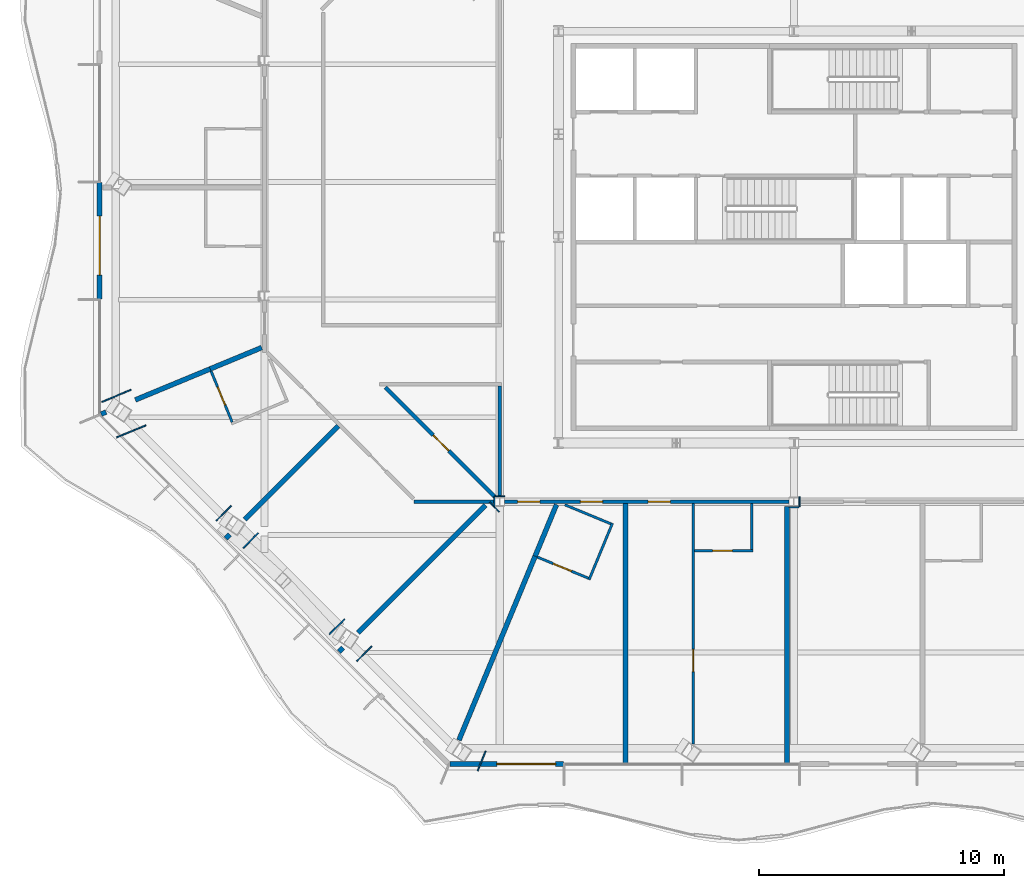
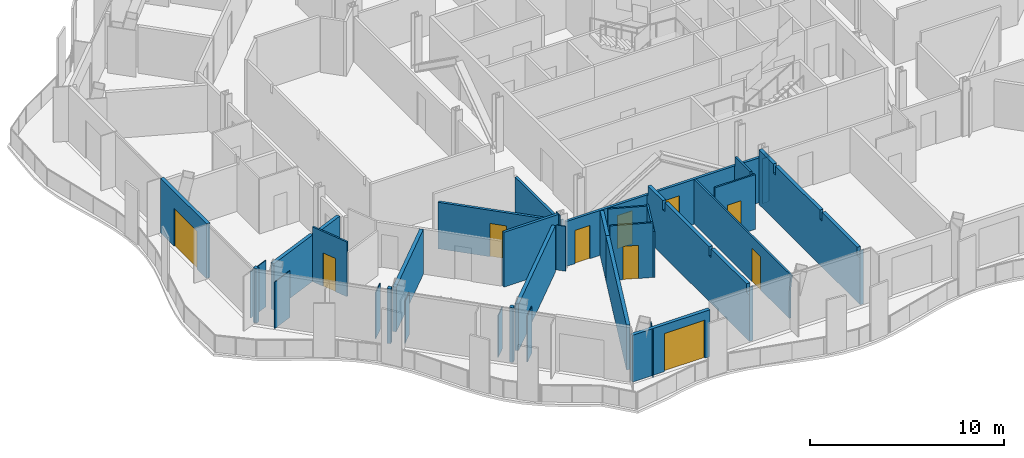
# One storey, part 7 of 22: 36 walls, 10 doors, 10 openings.
"""IFC4 building model written with IfcOpenShell, lengths in metres."""

import ifcopenshell
import ifcopenshell.guid

model = None  # the IFC model being written
_history = None  # IfcOwnerHistory: only IFC2X3 demands one
_inside = {}  # id of a spatial element -> (the spatial element, [elements in it])
_under = {}  # id of a project, library or spatial element -> (it, [spatial elements below it])
_declared = {}  # id of a project -> (the project, [libraries it declares])
_typed = {}  # id of a type object -> (the type object, [elements of that type])
_made_of = {}  # id of a material, layer set ... -> (it, [elements and type objects made of it])


def new_model(schema):
    """Start an empty IFC model of exactly this schema.

    Asked for "IFC4X3", IfcOpenShell would pick the latest addendum, in which some entities
    have other attributes; the version numbers below select the first issue.
    IFC2X3 requires an IfcOwnerHistory on every rooted entity: one is made here for all.
    """
    global model, _history
    if schema == "IFC4X3":
        model = ifcopenshell.file(schema_version=(4, 3, 0, 0))
    else:
        model = ifcopenshell.file(schema=schema)
    _inside.clear()
    _under.clear()
    _declared.clear()
    _typed.clear()
    _made_of.clear()
    _history = None
    if model.schema == "IFC2X3":
        org = make("IfcOrganization", Name="unknown")
        user = make(
            "IfcPersonAndOrganization",
            ThePerson=make("IfcPerson", FamilyName="unknown"),
            TheOrganization=org,
        )
        app = make(
            "IfcApplication",
            ApplicationDeveloper=org,
            Version="unknown",
            ApplicationFullName="unknown",
            ApplicationIdentifier="unknown",
        )
        _history = make(
            "IfcOwnerHistory",
            OwningUser=user,
            OwningApplication=app,
            ChangeAction="ADDED",
            CreationDate=0,
        )
    return model


def make(cls, **values):
    """One entity of the class cls with the attributes given. An attribute that is None is left unset."""
    return model.create_entity(
        cls, **{name: value for name, value in values.items() if value is not None}
    )


def rooted(cls, **values):
    """An entity with a GlobalId (a new one), such as an element, a storey or a relation."""
    return make(cls, GlobalId=ifcopenshell.guid.new(), OwnerHistory=_history, **values)


def si_unit(unit_type, name, prefix=None):
    """IfcSIUnit, for example si_unit("LENGTHUNIT", "METRE", prefix="MILLI")."""
    return make("IfcSIUnit", UnitType=unit_type, Prefix=prefix, Name=name)


def assignment(units):
    """IfcUnitAssignment: the units of a project."""
    return None if units is None else make("IfcUnitAssignment", Units=units)


def point(xyz):
    """IfcCartesianPoint."""
    return None if xyz is None else make("IfcCartesianPoint", Coordinates=xyz)


def direction(xyz):
    """IfcDirection."""
    return None if xyz is None else make("IfcDirection", DirectionRatios=xyz)


def frame(location, z_axis=None, x_axis=None):
    """IfcAxis2Placement3D, a coordinate frame: its origin and axes. An axis left out is left unset."""
    return make(
        "IfcAxis2Placement3D",
        Location=point(location),
        Axis=direction(z_axis),
        RefDirection=direction(x_axis),
    )


def frame_2d(location, x_axis=None):
    """IfcAxis2Placement2D, a coordinate frame in the plane: its origin and x axis."""
    return make(
        "IfcAxis2Placement2D", Location=point(location), RefDirection=direction(x_axis)
    )


def origin():
    """The frame at (0, 0, 0) with its axes left unset."""
    return frame((0.0, 0.0, 0.0))


def place(relative_to, where):
    """IfcLocalPlacement: puts the frame where relative to a parent placement (None: the world)."""
    return make(
        "IfcLocalPlacement", PlacementRelTo=relative_to, RelativePlacement=where
    )


def context(
    kind, dimensions, precision=None, world=None, true_north=None, identifier=None
):
    """IfcGeometricRepresentationContext, for example the 3D "Model" context."""
    return make(
        "IfcGeometricRepresentationContext",
        ContextIdentifier=identifier,
        ContextType=kind,
        CoordinateSpaceDimension=dimensions,
        Precision=precision,
        WorldCoordinateSystem=world,
        TrueNorth=true_north,
    )


def subcontext(parent, identifier, kind, view, scale=None):
    """IfcGeometricRepresentationSubContext, for example "Body" below "Model"."""
    return make(
        "IfcGeometricRepresentationSubContext",
        ContextIdentifier=identifier,
        ContextType=kind,
        ParentContext=parent,
        TargetScale=scale,
        TargetView=view,
    )


def project(units=None, contexts=None):
    """IfcProject with its units and contexts."""
    return rooted(
        "IfcProject",
        Name="project",
        RepresentationContexts=contexts,
        UnitsInContext=assignment(units),
    )


def spatial(cls, under=None, at=None, **own):
    """A site, building, storey or space (cls), placed at a placement, below another one or the project."""
    s = rooted(cls, ObjectPlacement=at, **own)
    if under is not None:
        _under.setdefault(under.id(), (under, []))[1].append(s)
    return s


def polyline(points):
    """IfcPolyline through the points."""
    return make("IfcPolyline", Points=[point(p) for p in points])


def profile(cls, at=None, kind="AREA", **sizes):
    """A parametric profile (cls). Its sizes go by their IFC names, for example OverallWidth=200.0."""
    return make(cls, ProfileType=kind, Position=at, **sizes)


def rectangle(**sizes):
    """IfcRectangleProfileDef."""
    return profile("IfcRectangleProfileDef", **sizes)


def outline(outer, holes=None, kind="AREA"):
    """IfcArbitraryClosedProfileDef: a profile drawn as a closed curve; with holes, ...WithVoids."""
    if holes is None:
        return make("IfcArbitraryClosedProfileDef", ProfileType=kind, OuterCurve=outer)
    return make(
        "IfcArbitraryProfileDefWithVoids",
        ProfileType=kind,
        OuterCurve=outer,
        InnerCurves=holes,
    )


def extrude(swept, where, along, depth):
    """IfcExtrudedAreaSolid: the profile swept, set in the frame where, extruded along a direction by depth."""
    return make(
        "IfcExtrudedAreaSolid",
        SweptArea=swept,
        Position=where,
        ExtrudedDirection=direction(along),
        Depth=depth,
    )


def shape(context_of_items, identifier, shape_type, items):
    """IfcShapeRepresentation: the items that make up one representation, for example the "Body"."""
    return make(
        "IfcShapeRepresentation",
        ContextOfItems=context_of_items,
        RepresentationIdentifier=identifier,
        RepresentationType=shape_type,
        Items=items,
    )


def material(Name=None, Category=None):
    """IfcMaterial."""
    return make("IfcMaterial", Name=Name, Category=Category)


def layer(
    of_material, thickness, ventilated=None, Name=None, Category=None, Priority=None
):
    """IfcMaterialLayer: one layer of a wall or slab, of a material (None: an air gap)."""
    return make(
        "IfcMaterialLayer",
        Material=of_material,
        LayerThickness=thickness,
        IsVentilated=ventilated,
        Name=Name,
        Category=Category,
        Priority=Priority,
    )


def layer_set(layers, Name=None):
    """IfcMaterialLayerSet."""
    return make("IfcMaterialLayerSet", MaterialLayers=layers, LayerSetName=Name)


def made_of(thing, what):
    """Note that an element or type object is made of a material, layer set ...; save() writes the relation."""
    if what is not None:
        _made_of.setdefault(what.id(), (what, []))[1].append(thing)
    return thing


def type_object(cls, material=None, **own):
    """A type object (cls), such as IfcWallType, which elements share."""
    return made_of(rooted(cls, **own), material)


def element(
    cls,
    number,
    at=None,
    inside=None,
    cuts=None,
    type_object=None,
    material=None,
    context=None,
    identifier="Body",
    shape_type=None,
    held_by="IfcProductDefinitionShape",
    body=None,
    shapes=None,
    **own,
):
    """One element of the class cls, such as IfcWall. Its Tag is "e" and its number.

    at: its placement. inside: the storey or other place that contains it. cuts: it is an
    opening in that element (IfcRelVoidsElement). A single representation is given by context,
    identifier, shape_type and body (its items); several are given by shapes. held_by: the class
    of the entity that holds the representations. save() writes the other relations.
    """
    e = rooted(cls, Tag="e%d" % number, ObjectPlacement=at, **own)
    if body is not None:
        shapes = [shape(context, identifier, shape_type, body)]
    if shapes is not None:
        e.Representation = make(held_by, Representations=shapes)
    if inside is not None:
        _inside.setdefault(inside.id(), (inside, []))[1].append(e)
    if cuts is not None:
        rooted(
            "IfcRelVoidsElement", RelatingBuildingElement=cuts, RelatedOpeningElement=e
        )
    if type_object is not None:
        _typed.setdefault(type_object.id(), (type_object, []))[1].append(e)
    return made_of(e, material)


def fill(opening, filler):
    """IfcRelFillsElement: the door or window that sits in an opening."""
    return rooted(
        "IfcRelFillsElement",
        RelatingOpeningElement=opening,
        RelatedBuildingElement=filler,
    )


def aggregate(whole, parts):
    """IfcRelAggregates: a whole, such as a stair, and the parts it consists of."""
    return rooted("IfcRelAggregates", RelatingObject=whole, RelatedObjects=parts)


def save(model, path):
    """Write the relations noted so far, then the file.

    IfcRelAggregates (storeys below a building ...), IfcRelContainedInSpatialStructure (elements
    in a storey), IfcRelDefinesByType, IfcRelAssociatesMaterial and IfcRelDeclares: one each for
    every whole, place, type object, material and project.
    """
    for whole, parts in _under.values():
        aggregate(whole, parts)
    for where, things in _inside.values():
        rooted(
            "IfcRelContainedInSpatialStructure",
            RelatedElements=things,
            RelatingStructure=where,
        )
    for kind, things in _typed.values():
        rooted("IfcRelDefinesByType", RelatedObjects=things, RelatingType=kind)
    for what, things in _made_of.values():
        rooted("IfcRelAssociatesMaterial", RelatedObjects=things, RelatingMaterial=what)
    for by, libraries in _declared.values():
        rooted("IfcRelDeclares", RelatingContext=by, RelatedDefinitions=libraries)
    model.write(path)


model = new_model("IFC4")

# Units and contexts
model_context = context("Model", 3, precision=1e-05, world=origin(), true_north=direction((0.0, 1.0)))
body_context = subcontext(model_context, "Body", "Model", "MODEL_VIEW")
ifc_project = project(units=[si_unit("LENGTHUNIT", "METRE"), si_unit("AREAUNIT", "SQUARE_METRE"), si_unit("VOLUMEUNIT", "CUBIC_METRE"), si_unit("PLANEANGLEUNIT", "RADIAN"), si_unit("MASSUNIT", "GRAM", prefix="KILO")], contexts=[model_context])

# Site, building, storey
site_placement = place(None, origin())
site = spatial("IfcSite", under=ifc_project, at=site_placement, CompositionType="ELEMENT")
building_placement = place(site_placement, origin())
building = spatial("IfcBuilding", under=site, at=building_placement, Name="Cairn Pilgrim Tower", CompositionType="ELEMENT")
storey_placement = place(building_placement, frame((0.0, 0.0, 175.800048828125)))
storey = spatial("IfcBuildingStorey", under=building, at=storey_placement, Name="L44", CompositionType="ELEMENT", Elevation=175.800048828125)

# Wall, opening, door
ifc_material_1 = material(Name="Bronze anodised aluminium insulated sandwich panel with mineral wool fill", Category="aluminium")
ifc_layer_1 = layer(ifc_material_1, 0.199951171875)
ifc_layer_set_1 = layer_set([ifc_layer_1], Name="BRONZE INFILL FRAME WALL 200")
wall_type_1 = type_object("IfcWallType", Name="BRONZE INFILL FRAME WALL 200", PredefinedType="NOTDEFINED", material=ifc_layer_set_1)
wall_1_placement = place(storey_placement, frame((-6.83154296875, -19.10009765625, 0.0), z_axis=(0.0, 0.0, 1.0), x_axis=(1.0, 0.0, 0.0)))
wall_1 = element("IfcWall", 1, at=wall_1_placement, inside=storey, type_object=wall_type_1, Name="Bronze infill frame wall IW-S1", PredefinedType="NOTDEFINED", context=body_context, shape_type="SweptSolid", body=[
    extrude(rectangle(XDim=4.62646484375, YDim=0.199951171875, at=frame_2d((2.313232421875, 0.0))), origin(), (0.0, 0.0, 1.0), 2.949951171875),
])
opening_1_placement = place(wall_1_placement, frame((1.908447265625, 0.0, 0.0)))
opening_1 = element("IfcOpeningElement", 2, at=opening_1_placement, cuts=wall_1, Name="Opening 4421B", PredefinedType="OPENING", context=body_context, shape_type="SweptSolid", body=[
    extrude(rectangle(XDim=2.39990234375, YDim=2.39990234375, at=frame_2d((1.199951171875, 1.199951171875))), frame((0.0, 0.10986328125, 0.0), z_axis=(0.0, -1.0, 0.0), x_axis=(1.0, 0.0, 0.0)), (0.0, 0.0, 1.0), 0.219970703125),
])
ifc_material_2 = material(Name="Bronze anodised aluminium frame with tinted low-E glass", Category="aluminium")
door_type_1 = type_object("IfcDoorType", Name="BALCONY SLIDING DOOR 2400x2400", OperationType="DOUBLE_DOOR_SLIDING", PredefinedType="DOOR", material=ifc_material_2)
door_1_placement = place(opening_1_placement, origin())
door_1 = element("IfcDoor", 3, at=door_1_placement, inside=storey, type_object=door_type_1, Name="Balcony sliding door 4421B", OperationType="SINGLE_SWING_LEFT", OverallHeight=2.39990234375, OverallWidth=2.39990234375, PredefinedType="DOOR", context=body_context, shape_type="SweptSolid", body=[
    extrude(rectangle(XDim=2.39990234375, YDim=2.39990234375, at=frame_2d((1.199951171875, 1.199951171875))), frame((0.0, 0.02490234375, 0.0), z_axis=(0.0, -1.0, 0.0), x_axis=(1.0, 0.0, 0.0)), (0.0, 0.0, 1.0), 0.050048828125),
])
fill(opening_1, door_1)

wall_2_placement = place(storey_placement, frame((-21.125, 4.6201171875, 0.0), z_axis=(0.0, 0.0, 1.0), x_axis=(0.0, -1.0, 0.0)))
wall_2 = element("IfcWall", 4, at=wall_2_placement, inside=storey, type_object=wall_type_1, Name="Bronze infill frame wall IW-W3", PredefinedType="NOTDEFINED", context=body_context, shape_type="SweptSolid", body=[
    extrude(rectangle(XDim=4.740234375, YDim=0.199951171875, at=frame_2d((2.3701171875, 0.0))), origin(), (0.0, 0.0, 1.0), 3.449951171875),
])
opening_2_placement = place(wall_2_placement, frame((1.3701171875, 0.0, 0.0)))
opening_2 = element("IfcOpeningElement", 5, at=opening_2_placement, cuts=wall_2, Name="Opening 4417B", PredefinedType="OPENING", context=body_context, shape_type="SweptSolid", body=[
    extrude(rectangle(XDim=2.39990234375, YDim=2.39990234375, at=frame_2d((1.199951171875, 1.199951171875))), frame((0.0, 0.10986328125, 0.0), z_axis=(0.0, -1.0, 0.0), x_axis=(1.0, 0.0, 0.0)), (0.0, 0.0, 1.0), 0.219970703125),
])
door_2_placement = place(opening_2_placement, origin())
door_2 = element("IfcDoor", 6, at=door_2_placement, inside=storey, type_object=door_type_1, Name="Balcony sliding door 4417B", OperationType="SINGLE_SWING_LEFT", OverallHeight=2.39990234375, OverallWidth=2.39990234375, PredefinedType="DOOR", context=body_context, shape_type="SweptSolid", body=[
    extrude(rectangle(XDim=2.39990234375, YDim=2.39990234375, at=frame_2d((1.199951171875, 1.199951171875))), frame((0.0, 0.02490234375, 0.0), z_axis=(0.0, -1.0, 0.0), x_axis=(1.0, 0.0, 0.0)), (0.0, 0.0, 1.0), 0.050048828125),
])
fill(opening_2, door_2)

ifc_material_3 = material(Name="Gypsum partition")
ifc_layer_2 = layer(ifc_material_3, 0.10009765625)
ifc_layer_set_2 = layer_set([ifc_layer_2], Name="PARTITION 100 DRYWALL")
wall_type_2 = type_object("IfcWallType", Name="PARTITION 100 DRYWALL", PredefinedType="PARTITIONING", material=ifc_layer_set_2)
wall_3_placement = place(storey_placement, frame((3.0869140625, -18.776611328125, 0.0), z_axis=(0.0, 0.0, 1.0), x_axis=(0.0, 1.0, 0.0)))
wall_3 = element("IfcWall", 7, at=wall_3_placement, inside=storey, type_object=wall_type_2, Name="PARTITION W003", PredefinedType="PARTITIONING", context=body_context, shape_type="SweptSolid", body=[
    extrude(outline(polyline([(0.495361328125, 0.0), (10.301513671875, 0.0), (10.301513671875, 0.862548828125), (10.301513671875, 1.724853515625), (10.301513671875, 2.58740234375), (10.301513671875, 2.829833984375), (0.251953125, 2.829833984375), (0.350341796875, 2.58740234375), (0.495361328125, 1.724853515625), (0.495361328125, 0.862548828125), (0.495361328125, 0.0)])), frame((0.0, 0.050048828125, 0.0), z_axis=(0.0, -1.0, 0.0), x_axis=(1.0, 0.0, 0.0)), (0.0, 0.0, 1.0), 0.10009765625),
])
opening_3_placement = place(wall_3_placement, frame((3.45166015625, 0.0, 0.0)))
opening_3 = element("IfcOpeningElement", 8, at=opening_3_placement, cuts=wall_3, Name="Opening 4422C", PredefinedType="OPENING", context=body_context, shape_type="SweptSolid", body=[
    extrude(rectangle(XDim=0.89990234375, YDim=2.10009765625, at=frame_2d((0.449951171875, 1.050048828125))), frame((0.0, 0.06005859375, 0.0), z_axis=(0.0, -1.0, 0.0), x_axis=(1.0, 0.0, 0.0)), (0.0, 0.0, 1.0), 0.1201171875),
])
ifc_material_4 = material(Name="Timber door leaf", Category="wood")
door_type_2 = type_object("IfcDoorType", Name="SERVICE DOOR 900x2100", OperationType="NOTDEFINED", PredefinedType="DOOR", material=ifc_material_4)
door_3_placement = place(opening_3_placement, origin())
door_3 = element("IfcDoor", 9, at=door_3_placement, inside=storey, type_object=door_type_2, Name="DOOR 4422C", OperationType="SINGLE_SWING_RIGHT", OverallHeight=2.10009765625, OverallWidth=0.89990234375, PredefinedType="DOOR", context=body_context, shape_type="SweptSolid", body=[
    extrude(rectangle(XDim=0.89990234375, YDim=2.10009765625, at=frame_2d((0.449951171875, 1.050048828125))), frame((0.0, 0.02490234375, 0.0), z_axis=(0.0, -1.0, 0.0), x_axis=(1.0, 0.0, 0.0)), (0.0, 0.0, 1.0), 0.050048828125),
])
fill(opening_3, door_3)

# Wall
wall_4_placement = place(storey_placement, frame((-1.1591796875, -11.582275390625, 0.0), z_axis=(0.0, 0.0, 1.0), x_axis=(0.382423652519, 0.923987094062, 0.0)))
element("IfcWall", 10, at=wall_4_placement, inside=storey, type_object=wall_type_2, Name="PARTITION W009", PredefinedType="PARTITIONING", context=body_context, shape_type="SweptSolid", body=[
    extrude(rectangle(XDim=2.500732421875, YDim=0.10009765625, at=frame_2d((1.25048828125, 0.0))), origin(), (0.0, 0.0, 1.0), 2.8798828125),
])

# Wall, opening, door
wall_5_placement = place(storey_placement, frame((-1.186279296875, -11.516845703125, 0.0), z_axis=(0.0, 0.0, 1.0), x_axis=(-0.923835689206, 0.382789262323, 0.0)))
wall_5 = element("IfcWall", 11, at=wall_5_placement, inside=storey, type_object=wall_type_2, Name="PARTITION W010", PredefinedType="PARTITIONING", context=body_context, shape_type="SweptSolid", body=[
    extrude(rectangle(XDim=2.250732421875, YDim=0.10009765625, at=frame_2d((1.12548828125, 0.0))), origin(), (0.0, 0.0, 1.0), 3.449951171875),
])
opening_4_placement = place(wall_5_placement, frame((0.750732421875, 0.0, 0.0)))
opening_4 = element("IfcOpeningElement", 12, at=opening_4_placement, cuts=wall_5, Name="Opening 4421A", PredefinedType="OPENING", context=body_context, shape_type="SweptSolid", body=[
    extrude(rectangle(XDim=0.800048828125, YDim=2.10009765625, at=frame_2d((0.39990234375, 1.050048828125))), frame((0.0, 0.06005859375, 0.0), z_axis=(0.0, -1.0, 0.0), x_axis=(1.0, 0.0, 0.0)), (0.0, 0.0, 1.0), 0.1201171875),
])
door_type_3 = type_object("IfcDoorType", Name="WC DOOR 800x2100", OperationType="NOTDEFINED", PredefinedType="DOOR", material=ifc_material_4)
door_4_placement = place(opening_4_placement, origin())
door_4 = element("IfcDoor", 13, at=door_4_placement, inside=storey, type_object=door_type_3, Name="DOOR 4421A", OperationType="SINGLE_SWING_RIGHT", OverallHeight=2.10009765625, OverallWidth=0.800048828125, PredefinedType="DOOR", context=body_context, shape_type="SweptSolid", body=[
    extrude(rectangle(XDim=0.800048828125, YDim=2.10009765625, at=frame_2d((0.39990234375, 1.050048828125))), frame((0.0, 0.02490234375, 0.0), z_axis=(0.0, -1.0, 0.0), x_axis=(1.0, 0.0, 0.0)), (0.0, 0.0, 1.0), 0.050048828125),
])
fill(opening_4, door_4)

wall_6_placement = place(storey_placement, frame((3.136962890625, -10.39990234375, 0.0), z_axis=(0.0, 0.0, 1.0), x_axis=(1.0, 0.0, 0.0)))
wall_6 = element("IfcWall", 14, at=wall_6_placement, inside=storey, type_object=wall_type_2, Name="PARTITION W014", PredefinedType="PARTITIONING", context=body_context, shape_type="SweptSolid", body=[
    extrude(rectangle(XDim=2.400146484375, YDim=0.10009765625, at=frame_2d((1.2001953125, 0.0))), origin(), (0.0, 0.0, 1.0), 3.449951171875),
])
opening_5_placement = place(wall_6_placement, frame((0.75, 0.0, 0.0)))
opening_5 = element("IfcOpeningElement", 15, at=opening_5_placement, cuts=wall_6, Name="Opening 4422A", PredefinedType="OPENING", context=body_context, shape_type="SweptSolid", body=[
    extrude(rectangle(XDim=0.800048828125, YDim=2.10009765625, at=frame_2d((0.39990234375, 1.050048828125))), frame((0.0, 0.06005859375, 0.0), z_axis=(0.0, -1.0, 0.0), x_axis=(1.0, 0.0, 0.0)), (0.0, 0.0, 1.0), 0.1201171875),
])
door_5_placement = place(opening_5_placement, frame((0.800048828125, 0.0, 0.0), z_axis=(0.0, 0.0, 1.0), x_axis=(-1.0, 0.0, 0.0)))
door_5 = element("IfcDoor", 16, at=door_5_placement, inside=storey, type_object=door_type_3, Name="DOOR 4422A", OperationType="SINGLE_SWING_RIGHT", OverallHeight=2.10009765625, OverallWidth=0.800048828125, PredefinedType="DOOR", context=body_context, shape_type="SweptSolid", body=[
    extrude(rectangle(XDim=0.800048828125, YDim=2.10009765625, at=frame_2d((0.39990234375, 1.050048828125))), frame((0.0, 0.02490234375, 0.0), z_axis=(0.0, -1.0, 0.0), x_axis=(1.0, 0.0, 0.0)), (0.0, 0.0, 1.0), 0.050048828125),
])
fill(opening_5, door_5)

# Walls
wall_7_placement = place(storey_placement, frame((5.487060546875, -10.35009765625, 0.0), z_axis=(0.0, 0.0, 1.0), x_axis=(0.0, 1.0, 0.0)))
element("IfcWall", 17, at=wall_7_placement, inside=storey, type_object=wall_type_2, Name="PARTITION W015", PredefinedType="PARTITIONING", context=body_context, shape_type="SweptSolid", body=[
    extrude(outline(polyline([(0.0, 0.0), (1.875, 0.0), (1.875, 2.829833984375), (1.800048828125, 2.829833984375), (1.798095703125, 3.449951171875), (0.2548828125, 3.449951171875), (0.2529296875, 2.8798828125), (0.044921875, 2.8798828125), (0.04296875, 3.449951171875), (0.0, 3.449951171875), (0.0, 0.0)])), frame((0.0, 0.050048828125, 0.0), z_axis=(0.0, -1.0, 0.0), x_axis=(1.0, 0.0, 0.0)), (0.0, 0.0, 1.0), 0.10009765625),
])
wall_8_placement = place(storey_placement, frame((-0.268310546875, -9.298828125, 0.0), z_axis=(0.0, 0.0, 1.0), x_axis=(-0.923927543828, 0.382567502222, 0.0)))
element("IfcWall", 18, at=wall_8_placement, inside=storey, type_object=wall_type_2, Name="PARTITION W017", PredefinedType="PARTITIONING", context=body_context, shape_type="SweptSolid", body=[
    extrude(rectangle(XDim=2.032470703125, YDim=0.10009765625, at=frame_2d((1.01611328125, 0.0))), origin(), (0.0, 0.0, 1.0), 2.829833984375),
])

# Wall, opening, door
wall_9_placement = place(storey_placement, frame((-15.718017578125, -5.15087890625, 0.0), z_axis=(0.0, 0.0, 1.0), x_axis=(-0.382380536126, 0.924004938078, 0.0)))
wall_9 = element("IfcWall", 19, at=wall_9_placement, inside=storey, type_object=wall_type_2, Name="PARTITION W033", PredefinedType="PARTITIONING", context=body_context, shape_type="SweptSolid", body=[
    extrude(rectangle(XDim=2.250732421875, YDim=0.10009765625, at=frame_2d((1.12548828125, 0.0))), origin(), (0.0, 0.0, 1.0), 3.449951171875),
])
opening_6_placement = place(wall_9_placement, frame((0.75048828125, 0.0, 0.0)))
opening_6 = element("IfcOpeningElement", 20, at=opening_6_placement, cuts=wall_9, Name="Opening 4418A", PredefinedType="OPENING", context=body_context, shape_type="SweptSolid", body=[
    extrude(rectangle(XDim=0.800048828125, YDim=2.10009765625, at=frame_2d((0.39990234375, 1.050048828125))), frame((0.0, 0.06005859375, 0.0), z_axis=(0.0, -1.0, 0.0), x_axis=(1.0, 0.0, 0.0)), (0.0, 0.0, 1.0), 0.1201171875),
])
door_6_placement = place(opening_6_placement, origin())
door_6 = element("IfcDoor", 21, at=door_6_placement, inside=storey, type_object=door_type_3, Name="DOOR 4418A", OperationType="SINGLE_SWING_LEFT", OverallHeight=2.10009765625, OverallWidth=0.800048828125, PredefinedType="DOOR", context=body_context, shape_type="SweptSolid", body=[
    extrude(rectangle(XDim=0.800048828125, YDim=2.10009765625, at=frame_2d((0.39990234375, 1.050048828125))), frame((0.0, 0.02490234375, 0.0), z_axis=(0.0, -1.0, 0.0), x_axis=(1.0, 0.0, 0.0)), (0.0, 0.0, 1.0), 0.050048828125),
])
fill(opening_6, door_6)

# Wall
ifc_layer_3 = layer(ifc_material_3, 0.14990234375)
ifc_layer_set_3 = layer_set([ifc_layer_3], Name="PARTITION 150 DRYWALL EI 60")
wall_type_3 = type_object("IfcWallType", Name="PARTITION 150 DRYWALL EI 60", PredefinedType="PARTITIONING", material=ifc_layer_set_3)
wall_10_placement = place(storey_placement, frame((-8.300048828125, -8.39990234375, 0.0), z_axis=(0.0, 0.0, 1.0), x_axis=(1.0, 0.0, 0.0)))
element("IfcWall", 22, at=wall_10_placement, inside=storey, type_object=wall_type_3, Name="PARTITION W020", PredefinedType="PARTITIONING", context=body_context, shape_type="SweptSolid", body=[
    extrude(rectangle(XDim=3.300537109375, YDim=0.14990234375, at=frame_2d((1.650390625, 0.0))), origin(), (0.0, 0.0, 1.0), 3.449951171875),
])

# Wall, openings, doors
wall_11_placement = place(storey_placement, frame((-4.6005859375, -8.39990234375, 0.0), z_axis=(0.0, 0.0, 1.0), x_axis=(1.0, 0.0, 0.0)))
wall_11 = element("IfcWall", 23, at=wall_11_placement, inside=storey, type_object=wall_type_3, Name="PARTITION W021", PredefinedType="PARTITIONING", context=body_context, shape_type="SweptSolid", body=[
    extrude(rectangle(XDim=11.60107421875, YDim=0.14990234375, at=frame_2d((5.800537109375, 0.0))), origin(), (0.0, 0.0, 1.0), 2.829833984375),
])
opening_7_placement = place(wall_11_placement, frame((0.531494140625, 0.0, 0.0)))
opening_7 = element("IfcOpeningElement", 24, at=opening_7_placement, cuts=wall_11, Name="Opening 4420", PredefinedType="OPENING", context=body_context, shape_type="SweptSolid", body=[
    extrude(rectangle(XDim=0.89990234375, YDim=2.10009765625, at=frame_2d((0.449951171875, 1.050048828125))), frame((0.0, 0.0849609375, 0.0), z_axis=(0.0, -1.0, 0.0), x_axis=(1.0, 0.0, 0.0)), (0.0, 0.0, 1.0), 0.169921875),
])
opening_8_placement = place(wall_11_placement, frame((3.092529296875, 0.0, 0.0)))
opening_8 = element("IfcOpeningElement", 25, at=opening_8_placement, cuts=wall_11, Name="Opening 4421", PredefinedType="OPENING", context=body_context, shape_type="SweptSolid", body=[
    extrude(rectangle(XDim=0.89990234375, YDim=2.10009765625, at=frame_2d((0.449951171875, 1.050048828125))), frame((0.0, 0.0849609375, 0.0), z_axis=(0.0, -1.0, 0.0), x_axis=(1.0, 0.0, 0.0)), (0.0, 0.0, 1.0), 0.169921875),
])
opening_9_placement = place(wall_11_placement, frame((5.85546875, 0.0, 0.0)))
opening_9 = element("IfcOpeningElement", 26, at=opening_9_placement, cuts=wall_11, Name="Opening 4422", PredefinedType="OPENING", context=body_context, shape_type="SweptSolid", body=[
    extrude(rectangle(XDim=0.89990234375, YDim=2.10009765625, at=frame_2d((0.449951171875, 1.050048828125))), frame((0.0, 0.0849609375, 0.0), z_axis=(0.0, -1.0, 0.0), x_axis=(1.0, 0.0, 0.0)), (0.0, 0.0, 1.0), 0.169921875),
])
door_type_4 = type_object("IfcDoorType", Name="ROOM DOOR 900x2100 FD30S", OperationType="NOTDEFINED", PredefinedType="DOOR", material=ifc_material_4)
door_7_placement = place(opening_7_placement, frame((0.89990234375, 0.0, 0.0), z_axis=(0.0, 0.0, 1.0), x_axis=(-1.0, 0.0, 0.0)))
door_7 = element("IfcDoor", 27, at=door_7_placement, inside=storey, type_object=door_type_4, Name="DOOR 4420", OperationType="SINGLE_SWING_RIGHT", OverallHeight=2.10009765625, OverallWidth=0.89990234375, PredefinedType="DOOR", context=body_context, shape_type="SweptSolid", body=[
    extrude(rectangle(XDim=0.89990234375, YDim=2.10009765625, at=frame_2d((0.449951171875, 1.050048828125))), frame((0.0, 0.02490234375, 0.0), z_axis=(0.0, -1.0, 0.0), x_axis=(1.0, 0.0, 0.0)), (0.0, 0.0, 1.0), 0.050048828125),
])
fill(opening_7, door_7)
door_8_placement = place(opening_8_placement, frame((0.89990234375, 0.0, 0.0), z_axis=(0.0, 0.0, 1.0), x_axis=(-1.0, 0.0, 0.0)))
door_8 = element("IfcDoor", 28, at=door_8_placement, inside=storey, type_object=door_type_4, Name="DOOR 4421", OperationType="SINGLE_SWING_RIGHT", OverallHeight=2.10009765625, OverallWidth=0.89990234375, PredefinedType="DOOR", context=body_context, shape_type="SweptSolid", body=[
    extrude(rectangle(XDim=0.89990234375, YDim=2.10009765625, at=frame_2d((0.449951171875, 1.050048828125))), frame((0.0, 0.02490234375, 0.0), z_axis=(0.0, -1.0, 0.0), x_axis=(1.0, 0.0, 0.0)), (0.0, 0.0, 1.0), 0.050048828125),
])
fill(opening_8, door_8)
door_9_placement = place(opening_9_placement, frame((0.89990234375, 0.0, 0.0), z_axis=(0.0, 0.0, 1.0), x_axis=(-1.0, 0.0, 0.0)))
door_9 = element("IfcDoor", 29, at=door_9_placement, inside=storey, type_object=door_type_4, Name="DOOR 4422", OperationType="SINGLE_SWING_RIGHT", OverallHeight=2.10009765625, OverallWidth=0.89990234375, PredefinedType="DOOR", context=body_context, shape_type="SweptSolid", body=[
    extrude(rectangle(XDim=0.89990234375, YDim=2.10009765625, at=frame_2d((0.449951171875, 1.050048828125))), frame((0.0, 0.02490234375, 0.0), z_axis=(0.0, -1.0, 0.0), x_axis=(1.0, 0.0, 0.0)), (0.0, 0.0, 1.0), 0.050048828125),
])
fill(opening_9, door_9)

# Wall, opening, door
wall_12_placement = place(storey_placement, frame((-4.998046875, -8.201904296875, 0.0), z_axis=(0.0, 0.0, 1.0), x_axis=(-0.707106781187, 0.707106781187, 0.0)))
wall_12 = element("IfcWall", 30, at=wall_12_placement, inside=storey, type_object=wall_type_3, Name="PARTITION W026", PredefinedType="PARTITIONING", context=body_context, shape_type="SweptSolid", body=[
    extrude(rectangle(XDim=6.326904296875, YDim=0.14990234375, at=frame_2d((3.16357421875, 0.0))), origin(), (0.0, 0.0, 1.0), 2.929931640625),
])
opening_10_placement = place(wall_12_placement, frame((2.664306640625, 0.0, 0.0)))
opening_10 = element("IfcOpeningElement", 31, at=opening_10_placement, cuts=wall_12, Name="Opening 4430", PredefinedType="OPENING", context=body_context, shape_type="SweptSolid", body=[
    extrude(rectangle(XDim=0.89990234375, YDim=2.10009765625, at=frame_2d((0.449951171875, 1.050048828125))), frame((0.0, 0.0849609375, 0.0), z_axis=(0.0, -1.0, 0.0), x_axis=(1.0, 0.0, 0.0)), (0.0, 0.0, 1.0), 0.169921875),
])
door_type_5 = type_object("IfcDoorType", Name="SERVICE DOOR 900x2100 FD30S", OperationType="NOTDEFINED", PredefinedType="DOOR", material=ifc_material_4)
door_10_placement = place(opening_10_placement, frame((0.89990234375, 0.0, 0.0), z_axis=(0.0, 0.0, 1.0), x_axis=(-1.0, 0.0, 0.0)))
door_10 = element("IfcDoor", 32, at=door_10_placement, inside=storey, type_object=door_type_5, Name="DOOR 4430", OperationType="SINGLE_SWING_LEFT", OverallHeight=2.10009765625, OverallWidth=0.89990234375, PredefinedType="DOOR", context=body_context, shape_type="SweptSolid", body=[
    extrude(rectangle(XDim=0.89990234375, YDim=2.10009765625, at=frame_2d((0.449951171875, 1.050048828125))), frame((0.0, 0.02490234375, 0.0), z_axis=(0.0, -1.0, 0.0), x_axis=(1.0, 0.0, 0.0)), (0.0, 0.0, 1.0), 0.050048828125),
])
fill(opening_10, door_10)

# Walls
wall_13_placement = place(storey_placement, frame((-4.800048828125, -8.20361328125, 0.0), z_axis=(0.0, 0.0, 1.0), x_axis=(0.0, 1.0, 0.0)))
element("IfcWall", 33, at=wall_13_placement, inside=storey, type_object=wall_type_3, Name="PARTITION W027", PredefinedType="PARTITIONING", context=body_context, shape_type="SweptSolid", body=[
    extrude(rectangle(XDim=4.528564453125, YDim=0.14990234375, at=frame_2d((2.26416015625, 0.0))), origin(), (0.0, 0.0, 1.0), 2.829833984375),
])
ifc_layer_4 = layer(ifc_material_3, 0.050048828125)
ifc_layer_set_4 = layer_set([ifc_layer_4], Name="PARTITION 50 DRYWALL EI 60")
wall_type_4 = type_object("IfcWallType", Name="PARTITION 50 DRYWALL EI 60", PredefinedType="PARTITIONING", material=ifc_layer_set_4)
wall_14_placement = place(storey_placement, frame((7.424560546875, -8.596435546875, 0.0), z_axis=(0.0, 0.0, 1.0), x_axis=(0.0, 1.0, 0.0)))
element("IfcWall", 34, at=wall_14_placement, inside=storey, type_object=wall_type_4, Name="COLUMN CASING WC01", PredefinedType="PARTITIONING", context=body_context, shape_type="SweptSolid", body=[
    extrude(rectangle(XDim=0.392822265625, YDim=0.050048828125, at=frame_2d((0.1962890625, 0.0))), origin(), (0.0, 0.0, 1.0), 2.829833984375),
])
wall_15_placement = place(storey_placement, frame((-5.70703125, -19.374267578125, 0.0), z_axis=(0.0, 0.0, 1.0), x_axis=(0.382551127662, 0.923934323815, 0.0)))
element("IfcWall", 35, at=wall_15_placement, inside=storey, type_object=wall_type_4, Name="COLUMN CASING WC02", PredefinedType="PARTITIONING", context=body_context, shape_type="SweptSolid", body=[
    extrude(rectangle(XDim=0.865478515625, YDim=0.050048828125, at=frame_2d((0.4326171875, 0.0))), origin(), (0.0, 0.0, 1.0), 2.929931640625),
])
wall_16_placement = place(storey_placement, frame((-10.64208984375, -14.911376953125, 0.0), z_axis=(0.0, 0.0, 1.0), x_axis=(0.707106781187, 0.707106781187, 0.0)))
element("IfcWall", 36, at=wall_16_placement, inside=storey, type_object=wall_type_4, Name="COLUMN CASING WC03", PredefinedType="PARTITIONING", context=body_context, shape_type="SweptSolid", body=[
    extrude(rectangle(XDim=0.867919921875, YDim=0.050048828125, at=frame_2d((0.43408203125, 0.0))), origin(), (0.0, 0.0, 1.0), 2.929931640625),
])
wall_17_placement = place(storey_placement, frame((-11.749755859375, -13.8037109375, 0.0), z_axis=(0.0, 0.0, 1.0), x_axis=(0.707247373047, 0.706966161367, 0.0)))
element("IfcWall", 37, at=wall_17_placement, inside=storey, type_object=wall_type_4, Name="COLUMN CASING WC04", PredefinedType="PARTITIONING", context=body_context, shape_type="SweptSolid", body=[
    extrude(rectangle(XDim=0.8681640625, YDim=0.050048828125, at=frame_2d((0.43408203125, 0.0))), origin(), (0.0, 0.0, 1.0), 2.6298828125),
])
wall_18_placement = place(storey_placement, frame((-16.373779296875, -9.1796875, 0.0), z_axis=(0.0, 0.0, 1.0), x_axis=(0.706966161367, 0.707247373047, 0.0)))
element("IfcWall", 38, at=wall_18_placement, inside=storey, type_object=wall_type_4, Name="COLUMN CASING WC07", PredefinedType="PARTITIONING", context=body_context, shape_type="SweptSolid", body=[
    extrude(rectangle(XDim=0.8681640625, YDim=0.050048828125, at=frame_2d((0.43408203125, 0.0))), origin(), (0.0, 0.0, 1.0), 2.929931640625),
])
wall_19_placement = place(storey_placement, frame((-15.2666015625, -10.287353515625, 0.0), z_axis=(0.0, 0.0, 1.0), x_axis=(0.707106781187, 0.707106781187, 0.0)))
element("IfcWall", 39, at=wall_19_placement, inside=storey, type_object=wall_type_4, Name="COLUMN CASING WC08", PredefinedType="PARTITIONING", context=body_context, shape_type="SweptSolid", body=[
    extrude(rectangle(XDim=0.868408203125, YDim=0.050048828125, at=frame_2d((0.43408203125, 0.0))), origin(), (0.0, 0.0, 1.0), 2.6298828125),
])
for number, where, z_axis, x_axis, name in (
    (40, (-4.99951171875, -8.178466796875, 0.0), (0.0, 0.0, 1.0), (1.0, 0.0, 0.0), "COLUMN CASING WC11"),
    (41, (7.00048828125, -8.62158203125, 0.0), (0.0, 0.0, 1.0), (1.0, 0.0, 0.0), "COLUMN CASING WC12"),
):
    element("IfcWall", number, at=place(storey_placement, frame(where, z_axis=z_axis, x_axis=x_axis)), inside=storey, type_object=wall_type_4, Name=name, PredefinedType="PARTITIONING", context=body_context, shape_type="SweptSolid", body=[
        extrude(rectangle(XDim=0.39892578125, YDim=0.050048828125, at=frame_2d((0.199462890625, 0.0))), origin(), (0.0, 0.0, 1.0), 2.829833984375),
    ])
wall_20_placement = place(storey_placement, frame((-4.817626953125, -8.813720703125, 0.0), z_axis=(0.0, 0.0, 1.0), x_axis=(-0.707106781187, 0.707106781187, 0.0)))
element("IfcWall", 42, at=wall_20_placement, inside=storey, type_object=wall_type_4, Name="COLUMN CASING WC14", PredefinedType="PARTITIONING", context=body_context, shape_type="SweptSolid", body=[
    extrude(rectangle(XDim=0.56005859375, YDim=0.050048828125, at=frame_2d((0.280029296875, 0.0))), origin(), (0.0, 0.0, 1.0), 2.829833984375),
])
wall_21_placement = place(storey_placement, frame((-5.0244140625, -8.596435546875, 0.0), z_axis=(0.0, 0.0, 1.0), x_axis=(0.0, 1.0, 0.0)))
element("IfcWall", 43, at=wall_21_placement, inside=storey, type_object=wall_type_4, Name="COLUMN CASING WC15", PredefinedType="PARTITIONING", context=body_context, shape_type="SweptSolid", body=[
    extrude(rectangle(XDim=0.392822265625, YDim=0.050048828125, at=frame_2d((0.1962890625, 0.0))), origin(), (0.0, 0.0, 1.0), 3.449951171875),
])
wall_22_placement = place(storey_placement, frame((-20.43408203125, -5.774169921875, 0.0), z_axis=(0.0, 0.0, 1.0), x_axis=(0.92388555257, 0.382668898334, 0.0)))
element("IfcWall", 44, at=wall_22_placement, inside=storey, type_object=wall_type_4, Name="COLUMN CASING WC19", PredefinedType="PARTITIONING", context=body_context, shape_type="SweptSolid", body=[
    extrude(rectangle(XDim=1.2919921875, YDim=0.050048828125, at=frame_2d((0.64599609375, 0.0))), origin(), (0.0, 0.0, 1.0), 2.929931640625),
])
wall_23_placement = place(storey_placement, frame((-21.03466796875, -4.32470703125, 0.0), z_axis=(0.0, 0.0, 1.0), x_axis=(0.923846419958, 0.382763363361, 0.0)))
element("IfcWall", 45, at=wall_23_placement, inside=storey, type_object=wall_type_4, Name="COLUMN CASING WC20", PredefinedType="PARTITIONING", context=body_context, shape_type="SweptSolid", body=[
    extrude(rectangle(XDim=1.292236328125, YDim=0.050048828125, at=frame_2d((0.64599609375, 0.0))), origin(), (0.0, 0.0, 1.0), 2.929931640625),
])
ifc_layer_5 = layer(ifc_material_3, 0.199951171875)
ifc_layer_set_5 = layer_set([ifc_layer_5], Name="SHAFT WALL 200 GYPSUM EI 60")
wall_type_5 = type_object("IfcWallType", Name="SHAFT WALL 200 GYPSUM EI 60", PredefinedType="PARTITIONING", material=ifc_layer_set_5)
wall_24_placement = place(storey_placement, frame((0.323974609375, -19.052978515625, 0.0), z_axis=(0.0, 0.0, 1.0), x_axis=(0.0, 1.0, 0.0)))
element("IfcWall", 46, at=wall_24_placement, inside=storey, type_object=wall_type_5, Name="PARTITION W001", PredefinedType="PARTITIONING", context=body_context, shape_type="SweptSolid", body=[
    extrude(outline(polyline([(0.0, 0.0), (10.577880859375, 0.0), (10.577880859375, 2.829833984375), (10.5029296875, 2.829833984375), (10.5009765625, 3.449951171875), (8.9580078125, 3.449951171875), (8.9560546875, 2.8798828125), (8.748046875, 2.8798828125), (8.74609375, 3.449951171875), (4.157958984375, 3.449951171875), (4.156005859375, 2.8798828125), (3.947998046875, 2.8798828125), (3.946044921875, 3.449951171875), (0.302978515625, 3.449951171875), (0.301025390625, 2.929931640625), (0.0029296875, 2.929931640625), (0.0009765625, 3.449951171875), (0.0, 3.449951171875), (0.0, 0.0)])), frame((0.0, 0.10009765625, 0.0), z_axis=(0.0, -1.0, 0.0), x_axis=(1.0, 0.0, 0.0)), (0.0, 0.0, 1.0), 0.199951171875),
])
wall_25_placement = place(storey_placement, frame((6.9208984375, -19.052978515625, 0.0), z_axis=(0.0, 0.0, 1.0), x_axis=(0.0, 1.0, 0.0)))
element("IfcWall", 47, at=wall_25_placement, inside=storey, type_object=wall_type_5, Name="PARTITION W002", PredefinedType="PARTITIONING", context=body_context, shape_type="SweptSolid", body=[
    extrude(outline(polyline([(0.0, 0.0), (10.45654296875, 0.0), (10.45654296875, 3.449951171875), (8.9580078125, 3.449951171875), (8.9560546875, 2.8798828125), (8.748046875, 2.8798828125), (8.74609375, 3.449951171875), (4.157958984375, 3.449951171875), (4.156005859375, 2.8798828125), (3.947998046875, 2.8798828125), (3.946044921875, 3.449951171875), (0.302978515625, 3.449951171875), (0.301025390625, 2.929931640625), (0.0029296875, 2.929931640625), (0.0009765625, 3.449951171875), (0.0, 3.449951171875), (0.0, 0.0)])), frame((0.0, 0.10009765625, 0.0), z_axis=(0.0, -1.0, 0.0), x_axis=(1.0, 0.0, 0.0)), (0.0, 0.0, 1.0), 0.199951171875),
])
wall_26_placement = place(storey_placement, frame((-6.466796875, -18.122802734375, 0.0), z_axis=(0.0, 0.0, 1.0), x_axis=(0.382668510089, 0.923885713379, 0.0)))
element("IfcWall", 48, at=wall_26_placement, inside=storey, type_object=wall_type_5, Name="PARTITION W005", PredefinedType="PARTITIONING", context=body_context, shape_type="SweptSolid", body=[
    extrude(rectangle(XDim=8.124267578125, YDim=0.199951171875, at=frame_2d((4.06201171875, 0.0))), origin(), (0.0, 0.0, 1.0), 2.829833984375),
])
wall_27_placement = place(storey_placement, frame((-11.36279296875, -14.523681640625, 0.0), z_axis=(0.0, 0.0, 1.0), x_axis=(0.70762537781, 0.706587803942, 0.0)))
element("IfcWall", 49, at=wall_27_placement, inside=storey, type_object=wall_type_5, Name="PARTITION W006", PredefinedType="PARTITIONING", context=body_context, shape_type="SweptSolid", body=[
    extrude(rectangle(XDim=0.2353515625, YDim=0.199951171875, at=frame_2d((0.11767578125, 0.0))), origin(), (0.0, 0.0, 1.0), 3.449951171875),
])
wall_28_placement = place(storey_placement, frame((-10.58251953125, -13.743408203125, 0.0), z_axis=(0.0, 0.0, 1.0), x_axis=(0.707173198016, 0.707040358118, 0.0)))
element("IfcWall", 50, at=wall_28_placement, inside=storey, type_object=wall_type_5, Name="PARTITION W007", PredefinedType="PARTITIONING", context=body_context, shape_type="SweptSolid", body=[
    extrude(rectangle(XDim=7.351318359375, YDim=0.199951171875, at=frame_2d((3.67578125, 0.0))), origin(), (0.0, 0.0, 1.0), 2.929931640625),
])
wall_29_placement = place(storey_placement, frame((-3.35791015625, -10.616943359375, 0.0), z_axis=(0.0, 0.0, 1.0), x_axis=(0.382840979218, 0.923814258729, 0.0)))
element("IfcWall", 51, at=wall_29_placement, inside=storey, type_object=wall_type_5, Name="PARTITION W013", PredefinedType="PARTITIONING", context=body_context, shape_type="SweptSolid", body=[
    extrude(rectangle(XDim=2.27734375, YDim=0.199951171875, at=frame_2d((1.138671875, 0.0))), origin(), (0.0, 0.0, 1.0), 2.829833984375),
])
wall_30_placement = place(storey_placement, frame((-15.98681640625, -9.89990234375, 0.0), z_axis=(0.0, 0.0, 1.0), x_axis=(0.707106781187, 0.707106781187, 0.0)))
element("IfcWall", 52, at=wall_30_placement, inside=storey, type_object=wall_type_5, Name="PARTITION W016", PredefinedType="PARTITIONING", context=body_context, shape_type="SweptSolid", body=[
    extrude(rectangle(XDim=0.2353515625, YDim=0.199951171875, at=frame_2d((0.11767578125, 0.0))), origin(), (0.0, 0.0, 1.0), 3.449951171875),
])
wall_31_placement = place(storey_placement, frame((-15.206298828125, -9.119384765625, 0.0), z_axis=(0.0, 0.0, 1.0), x_axis=(0.70719733142, 0.707016219356, 0.0)))
element("IfcWall", 53, at=wall_31_placement, inside=storey, type_object=wall_type_5, Name="PARTITION W018", PredefinedType="PARTITIONING", context=body_context, shape_type="SweptSolid", body=[
    extrude(rectangle(XDim=5.39208984375, YDim=0.199951171875, at=frame_2d((2.696044921875, 0.0))), origin(), (0.0, 0.0, 1.0), 2.829833984375),
])
wall_32_placement = place(storey_placement, frame((-21.06396484375, -4.8212890625, 0.0), z_axis=(0.0, 0.0, 1.0), x_axis=(0.923674221268, 0.383178721962, 0.0)))
element("IfcWall", 54, at=wall_32_placement, inside=storey, type_object=wall_type_5, Name="PARTITION W034", PredefinedType="PARTITIONING", context=body_context, shape_type="SweptSolid", body=[
    extrude(rectangle(XDim=0.21728515625, YDim=0.199951171875, at=frame_2d((0.108642578125, 0.0))), origin(), (0.0, 0.0, 1.0), 3.449951171875),
])
wall_33_placement = place(storey_placement, frame((-19.669677734375, -4.243408203125, 0.0), z_axis=(0.0, 0.0, 1.0), x_axis=(0.923888058455, 0.382662848268, 0.0)))
element("IfcWall", 55, at=wall_33_placement, inside=storey, type_object=wall_type_5, Name="PARTITION W036", PredefinedType="PARTITIONING", context=body_context, shape_type="SweptSolid", body=[
    extrude(rectangle(XDim=3.30419921875, YDim=0.199951171875, at=frame_2d((1.652099609375, 0.0))), origin(), (0.0, 0.0, 1.0), 2.929931640625),
])
wall_34_placement = place(storey_placement, frame((-16.616943359375, -2.97900390625, 0.0), z_axis=(0.0, 0.0, 1.0), x_axis=(0.923927982336, 0.382566443191, 0.0)))
element("IfcWall", 56, at=wall_34_placement, inside=storey, type_object=wall_type_5, Name="PARTITION W040", PredefinedType="PARTITIONING", context=body_context, shape_type="SweptSolid", body=[
    extrude(rectangle(XDim=2.27685546875, YDim=0.199951171875, at=frame_2d((1.138427734375, 0.0))), origin(), (0.0, 0.0, 1.0), 2.829833984375),
])

save(model, "model.ifc")
